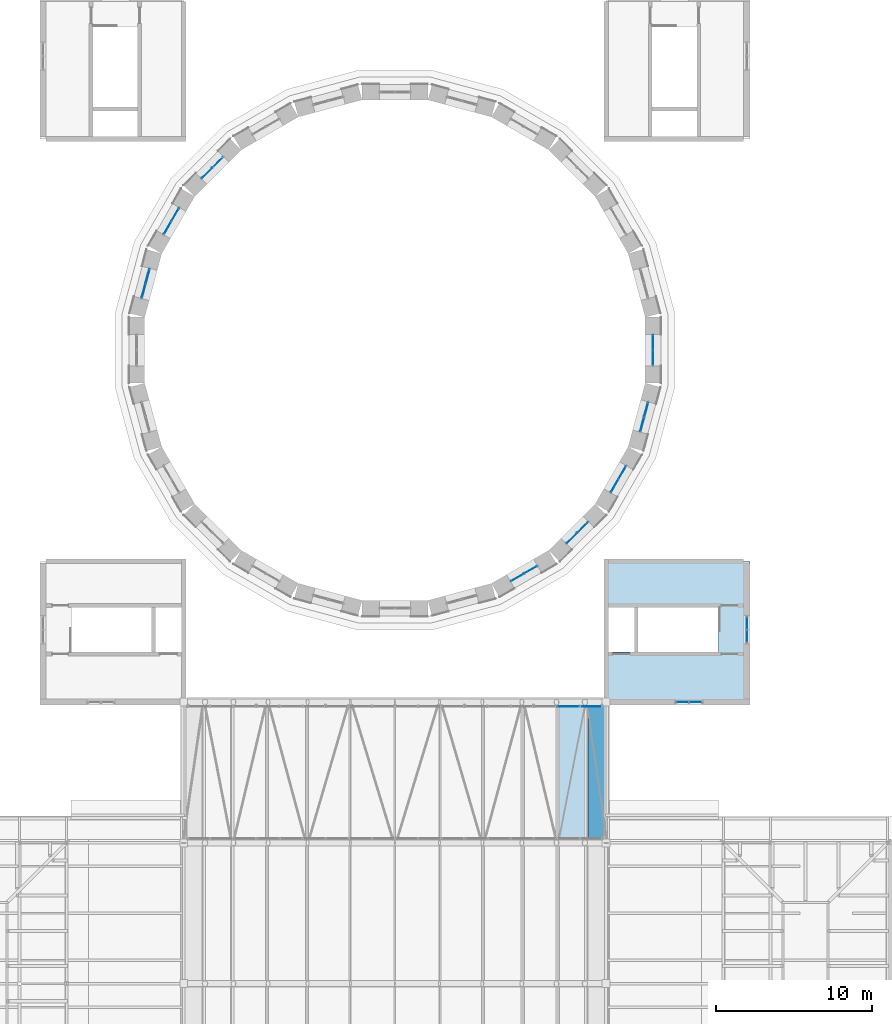
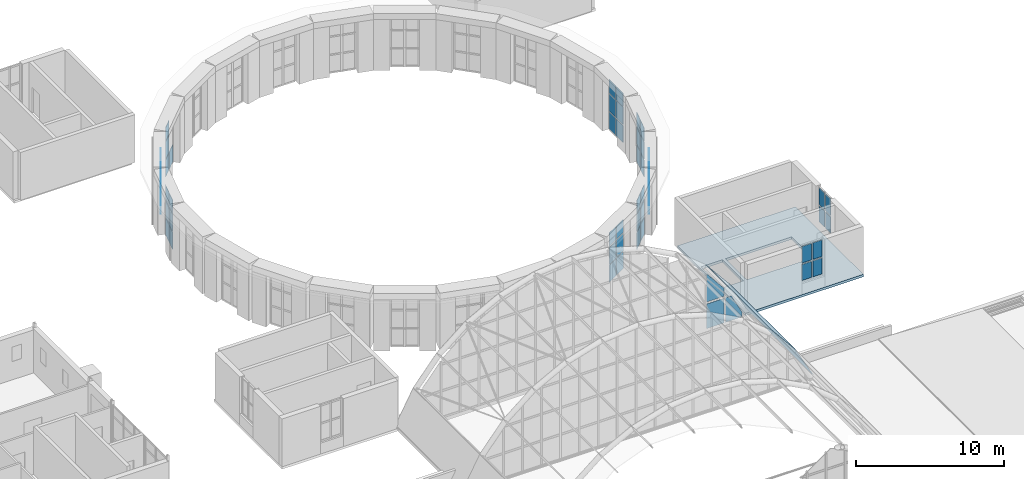
# One storey, part 84 of 121: 59 plates, 1 slab, 11 elements without a shape of their own.
"""IFC4 building model written with IfcOpenShell, lengths in metres."""

from ifc_helpers import new_model, si_unit, direction, frame, origin, origin_2d, place, context, subcontext, project, spatial, polyline, rectangle, outline, extrude, material, layer, layer_set, type_object, element, aggregate, save


model = new_model("IFC4")

# Units and contexts
model_context = context("Model", 3, precision=1e-05, world=origin(), true_north=direction((0.0, 1.0)))
body_context = subcontext(model_context, "Body", "Model", "MODEL_VIEW")
ifc_project = project(units=[si_unit("LENGTHUNIT", "METRE"), si_unit("AREAUNIT", "SQUARE_METRE"), si_unit("VOLUMEUNIT", "CUBIC_METRE"), si_unit("PLANEANGLEUNIT", "RADIAN"), si_unit("MASSUNIT", "GRAM", prefix="KILO")], contexts=[model_context])

# Site, building, storey
site_placement = place(None, origin())
site = spatial("IfcSite", under=ifc_project, at=site_placement, CompositionType="ELEMENT")
building_placement = place(site_placement, origin())
building = spatial("IfcBuilding", under=site, at=building_placement, Name="Golden Quay Civic Hall", CompositionType="ELEMENT")
storey_placement = place(building_placement, frame((0.0, 0.0, 18.60009765625)))
storey = spatial("IfcBuildingStorey", under=building, at=storey_placement, Name="L04", CompositionType="ELEMENT", Elevation=18.60009765625)

# Slab
ifc_material_1 = material(Name="Concrete C35/45", Category="concrete")
ifc_layer_1 = layer(ifc_material_1, 0.199951171875)
ifc_layer_set_1 = layer_set([ifc_layer_1], Name="Composite floor 200")
slab_type = type_object("IfcSlabType", Name="Composite floor 200", PredefinedType="FLOOR", material=ifc_layer_set_1)
slab_placement = place(storey_placement, frame((0.0, 0.0, -0.2001953125)))
element("IfcSlab", 1, at=slab_placement, inside=storey, type_object=slab_type, Name="Slab", PredefinedType="FLOOR", context=body_context, shape_type="SweptSolid", body=[
    extrude(outline(polyline([(108.199951171875, 72.0), (108.199951171875, 62.800048828125), (99.0, 62.800048828125), (99.0, 72.0), (108.199951171875, 72.0)]), holes=[polyline([(99.14990234375, 69.050048828125), (99.14990234375, 66.199951171875), (100.800048828125, 66.199951171875), (100.800048828125, 69.050048828125), (99.14990234375, 69.050048828125)]), polyline([(101.050048828125, 66.199951171875), (106.195068359375, 66.199951171875), (106.195068359375, 69.050048828125), (101.050048828125, 69.050048828125), (101.050048828125, 66.199951171875)])]), origin(), (0.0, 0.0, 1.0), 0.2001953125),
])

# Curtain wall, plates
ifc_material_2 = material(Name="Glass, laminated double glazed", Category="glass")
ifc_layer_2 = layer(ifc_material_2, 0.199951171875)
ifc_layer_set_2 = layer_set([ifc_layer_2], Name="Glazed drum clerestory curtain wall")
curtain_wall_type_1 = type_object("IfcCurtainWallType", Name="Glazed drum clerestory curtain wall", PredefinedType="NOTDEFINED", material=ifc_layer_set_2)
curtain_wall_1_placement = place(storey_placement, origin())
curtain_wall_1 = element("IfcCurtainWall", 2, at=curtain_wall_1_placement, inside=storey, type_object=curtain_wall_type_1, Name="Clerestory curtain wall 9", PredefinedType="NOTDEFINED")
ifc_material_3 = material(Name="Glass, laminated double glazed", Category="glass")
ifc_layer_3 = layer(ifc_material_3, 0.028076171875)
ifc_layer_set_3 = layer_set([ifc_layer_3], Name="Double glazed curtain wall panel 28")
plate_type_1 = type_object("IfcPlateType", Name="Double glazed curtain wall panel 28", PredefinedType="CURTAIN_PANEL", material=ifc_layer_set_3)
plate_1_placement = place(storey_placement, frame((74.175537109375, 97.51025390625, -0.14013671875), z_axis=(0.0, 0.0, 1.0), x_axis=(-0.707106781187, -0.707106781187, 0.0)))
plate_1 = element("IfcPlate", 3, at=plate_1_placement, type_object=plate_type_1, Name="CW5 panel 1.1", PredefinedType="CURTAIN_PANEL", context=body_context, shape_type="SweptSolid", body=[
    extrude(rectangle(XDim=0.909912109375, YDim=0.028076171875, at=origin_2d()), origin(), (0.0, 0.0, 1.0), 1.409912109375),
])
plate_2_placement = place(storey_placement, frame((73.48974609375, 96.824462890625, -0.14013671875), z_axis=(0.0, 0.0, 1.0), x_axis=(-0.707106781187, -0.707106781187, 0.0)))
plate_2 = element("IfcPlate", 4, at=plate_2_placement, type_object=plate_type_1, Name="CW5 panel 2.1", PredefinedType="CURTAIN_PANEL", context=body_context, shape_type="SweptSolid", body=[
    extrude(rectangle(XDim=0.909912109375, YDim=0.028076171875, at=origin_2d()), origin(), (0.0, 0.0, 1.0), 1.409912109375),
])
plate_3_placement = place(storey_placement, frame((73.48974609375, 96.824462890625, 1.329833984375), z_axis=(0.0, 0.0, 1.0), x_axis=(-0.707106781187, -0.707106781187, 0.0)))
plate_3 = element("IfcPlate", 5, at=plate_3_placement, type_object=plate_type_1, Name="CW5 panel 2.2", PredefinedType="CURTAIN_PANEL", context=body_context, shape_type="SweptSolid", body=[
    extrude(rectangle(XDim=0.909912109375, YDim=0.028076171875, at=origin_2d()), origin(), (0.0, 0.0, 1.0), 1.43994140625),
])
plate_4_placement = place(storey_placement, frame((73.48974609375, 96.824462890625, 2.830078125), z_axis=(0.0, 0.0, 1.0), x_axis=(-0.707106781187, -0.707106781187, 0.0)))
plate_4 = element("IfcPlate", 6, at=plate_4_placement, type_object=plate_type_1, Name="CW5 panel 2.3", PredefinedType="CURTAIN_PANEL", context=body_context, shape_type="SweptSolid", body=[
    extrude(rectangle(XDim=0.909912109375, YDim=0.028076171875, at=origin_2d()), origin(), (0.0, 0.0, 1.0), 1.110107421875),
])
aggregate(curtain_wall_1, [plate_1, plate_2, plate_3, plate_4])

curtain_wall_2_placement = place(storey_placement, origin())
curtain_wall_2 = element("IfcCurtainWall", 7, at=curtain_wall_2_placement, inside=storey, type_object=curtain_wall_type_1, Name="Clerestory curtain wall 10", PredefinedType="NOTDEFINED")
plate_5_placement = place(storey_placement, frame((71.453125, 94.169921875, -0.14013671875), z_axis=(0.0, 0.0, 1.0), x_axis=(-0.500011000366, -0.866019052627, 0.0)))
plate_5 = element("IfcPlate", 8, at=plate_5_placement, type_object=plate_type_1, Name="CW5 panel 1.1", PredefinedType="CURTAIN_PANEL", context=body_context, shape_type="SweptSolid", body=[
    extrude(rectangle(XDim=0.909912109375, YDim=0.028076171875, at=origin_2d()), origin(), (0.0, 0.0, 1.0), 1.409912109375),
])
plate_6_placement = place(storey_placement, frame((71.453125, 94.169921875, 1.329833984375), z_axis=(0.0, 0.0, 1.0), x_axis=(-0.500011000366, -0.866019052627, 0.0)))
plate_6 = element("IfcPlate", 9, at=plate_6_placement, type_object=plate_type_1, Name="CW5 panel 1.2", PredefinedType="CURTAIN_PANEL", context=body_context, shape_type="SweptSolid", body=[
    extrude(rectangle(XDim=0.909912109375, YDim=0.028076171875, at=origin_2d()), origin(), (0.0, 0.0, 1.0), 1.43994140625),
])
plate_7_placement = place(storey_placement, frame((71.453125, 94.169921875, 2.830078125), z_axis=(0.0, 0.0, 1.0), x_axis=(-0.500011000366, -0.866019052627, 0.0)))
plate_7 = element("IfcPlate", 10, at=plate_7_placement, type_object=plate_type_1, Name="CW5 panel 1.3", PredefinedType="CURTAIN_PANEL", context=body_context, shape_type="SweptSolid", body=[
    extrude(rectangle(XDim=0.909912109375, YDim=0.028076171875, at=origin_2d()), origin(), (0.0, 0.0, 1.0), 1.110107421875),
])
plate_8_placement = place(storey_placement, frame((70.968017578125, 93.330078125, -0.14013671875), z_axis=(0.0, 0.0, 1.0), x_axis=(-0.500011000366, -0.866019052627, 0.0)))
plate_8 = element("IfcPlate", 11, at=plate_8_placement, type_object=plate_type_1, Name="CW5 panel 2.1", PredefinedType="CURTAIN_PANEL", context=body_context, shape_type="SweptSolid", body=[
    extrude(rectangle(XDim=0.909912109375, YDim=0.028076171875, at=origin_2d()), origin(), (0.0, 0.0, 1.0), 1.409912109375),
])
plate_9_placement = place(storey_placement, frame((70.968017578125, 93.330078125, 1.329833984375), z_axis=(0.0, 0.0, 1.0), x_axis=(-0.500011000366, -0.866019052627, 0.0)))
plate_9 = element("IfcPlate", 12, at=plate_9_placement, type_object=plate_type_1, Name="CW5 panel 2.2", PredefinedType="CURTAIN_PANEL", context=body_context, shape_type="SweptSolid", body=[
    extrude(rectangle(XDim=0.909912109375, YDim=0.028076171875, at=origin_2d()), origin(), (0.0, 0.0, 1.0), 1.43994140625),
])
plate_10_placement = place(storey_placement, frame((70.968017578125, 93.330078125, 2.830078125), z_axis=(0.0, 0.0, 1.0), x_axis=(-0.500011000366, -0.866019052627, 0.0)))
plate_10 = element("IfcPlate", 13, at=plate_10_placement, type_object=plate_type_1, Name="CW5 panel 2.3", PredefinedType="CURTAIN_PANEL", context=body_context, shape_type="SweptSolid", body=[
    extrude(rectangle(XDim=0.909912109375, YDim=0.028076171875, at=origin_2d()), origin(), (0.0, 0.0, 1.0), 1.110107421875),
])
aggregate(curtain_wall_2, [plate_5, plate_6, plate_7, plate_8, plate_9, plate_10])

curtain_wall_3_placement = place(storey_placement, origin())
curtain_wall_3 = element("IfcCurtainWall", 14, at=curtain_wall_3_placement, inside=storey, type_object=curtain_wall_type_1, Name="Clerestory curtain wall 11", PredefinedType="NOTDEFINED")
plate_11_placement = place(storey_placement, frame((69.687744140625, 90.239013671875, -0.14013671875), z_axis=(0.0, 0.0, 1.0), x_axis=(-0.258807731996, -0.965928857556, 0.0)))
plate_11 = element("IfcPlate", 15, at=plate_11_placement, type_object=plate_type_1, Name="CW5 panel 1.1", PredefinedType="CURTAIN_PANEL", context=body_context, shape_type="SweptSolid", body=[
    extrude(rectangle(XDim=0.909912109375, YDim=0.028076171875, at=origin_2d()), origin(), (0.0, 0.0, 1.0), 1.409912109375),
])
plate_12_placement = place(storey_placement, frame((69.687744140625, 90.239013671875, 1.329833984375), z_axis=(0.0, 0.0, 1.0), x_axis=(-0.258807731996, -0.965928857556, 0.0)))
plate_12 = element("IfcPlate", 16, at=plate_12_placement, type_object=plate_type_1, Name="CW5 panel 1.2", PredefinedType="CURTAIN_PANEL", context=body_context, shape_type="SweptSolid", body=[
    extrude(rectangle(XDim=0.909912109375, YDim=0.028076171875, at=origin_2d()), origin(), (0.0, 0.0, 1.0), 1.43994140625),
])
plate_13_placement = place(storey_placement, frame((69.687744140625, 90.239013671875, 2.830078125), z_axis=(0.0, 0.0, 1.0), x_axis=(-0.258807731996, -0.965928857556, 0.0)))
plate_13 = element("IfcPlate", 17, at=plate_13_placement, type_object=plate_type_1, Name="CW5 panel 1.3", PredefinedType="CURTAIN_PANEL", context=body_context, shape_type="SweptSolid", body=[
    extrude(rectangle(XDim=0.909912109375, YDim=0.028076171875, at=origin_2d()), origin(), (0.0, 0.0, 1.0), 1.110107421875),
])
plate_14_placement = place(storey_placement, frame((69.436767578125, 89.302001953125, -0.14013671875), z_axis=(0.0, 0.0, 1.0), x_axis=(-0.258807731996, -0.965928857556, 0.0)))
plate_14 = element("IfcPlate", 18, at=plate_14_placement, type_object=plate_type_1, Name="CW5 panel 2.1", PredefinedType="CURTAIN_PANEL", context=body_context, shape_type="SweptSolid", body=[
    extrude(rectangle(XDim=0.909912109375, YDim=0.028076171875, at=origin_2d()), origin(), (0.0, 0.0, 1.0), 1.409912109375),
])
plate_15_placement = place(storey_placement, frame((69.436767578125, 89.302001953125, 1.329833984375), z_axis=(0.0, 0.0, 1.0), x_axis=(-0.258807731996, -0.965928857556, 0.0)))
plate_15 = element("IfcPlate", 19, at=plate_15_placement, type_object=plate_type_1, Name="CW5 panel 2.2", PredefinedType="CURTAIN_PANEL", context=body_context, shape_type="SweptSolid", body=[
    extrude(rectangle(XDim=0.909912109375, YDim=0.028076171875, at=origin_2d()), origin(), (0.0, 0.0, 1.0), 1.43994140625),
])
plate_16_placement = place(storey_placement, frame((69.436767578125, 89.302001953125, 2.830078125), z_axis=(0.0, 0.0, 1.0), x_axis=(-0.258807731996, -0.965928857556, 0.0)))
plate_16 = element("IfcPlate", 20, at=plate_16_placement, type_object=plate_type_1, Name="CW5 panel 2.3", PredefinedType="CURTAIN_PANEL", context=body_context, shape_type="SweptSolid", body=[
    extrude(rectangle(XDim=0.909912109375, YDim=0.028076171875, at=origin_2d()), origin(), (0.0, 0.0, 1.0), 1.110107421875),
])
aggregate(curtain_wall_3, [plate_11, plate_12, plate_13, plate_14, plate_15, plate_16])

curtain_wall_4_placement = place(storey_placement, origin())
curtain_wall_4 = element("IfcCurtainWall", 21, at=curtain_wall_4_placement, inside=storey, type_object=curtain_wall_type_1, Name="Clerestory curtain wall 20", PredefinedType="NOTDEFINED")
plate_17_placement = place(storey_placement, frame((93.330078125, 70.968017578125, -0.14013671875), z_axis=(0.0, 0.0, 1.0), x_axis=(0.866019052627, 0.500011000366, 0.0)))
plate_17 = element("IfcPlate", 22, at=plate_17_placement, type_object=plate_type_1, Name="CW5 panel 1.1", PredefinedType="CURTAIN_PANEL", context=body_context, shape_type="SweptSolid", body=[
    extrude(rectangle(XDim=0.909912109375, YDim=0.028076171875, at=origin_2d()), origin(), (0.0, 0.0, 1.0), 1.409912109375),
])
plate_18_placement = place(storey_placement, frame((93.330078125, 70.968017578125, 1.329833984375), z_axis=(0.0, 0.0, 1.0), x_axis=(0.866019052627, 0.500011000366, 0.0)))
plate_18 = element("IfcPlate", 23, at=plate_18_placement, type_object=plate_type_1, Name="CW5 panel 1.2", PredefinedType="CURTAIN_PANEL", context=body_context, shape_type="SweptSolid", body=[
    extrude(rectangle(XDim=0.909912109375, YDim=0.028076171875, at=origin_2d()), origin(), (0.0, 0.0, 1.0), 1.43994140625),
])
plate_19_placement = place(storey_placement, frame((93.330078125, 70.968017578125, 2.830078125), z_axis=(0.0, 0.0, 1.0), x_axis=(0.866019052627, 0.500011000366, 0.0)))
plate_19 = element("IfcPlate", 24, at=plate_19_placement, type_object=plate_type_1, Name="CW5 panel 1.3", PredefinedType="CURTAIN_PANEL", context=body_context, shape_type="SweptSolid", body=[
    extrude(rectangle(XDim=0.909912109375, YDim=0.028076171875, at=origin_2d()), origin(), (0.0, 0.0, 1.0), 1.110107421875),
])
plate_20_placement = place(storey_placement, frame((94.169921875, 71.453125, -0.14013671875), z_axis=(0.0, 0.0, 1.0), x_axis=(0.866019052627, 0.500011000366, 0.0)))
plate_20 = element("IfcPlate", 25, at=plate_20_placement, type_object=plate_type_1, Name="CW5 panel 2.1", PredefinedType="CURTAIN_PANEL", context=body_context, shape_type="SweptSolid", body=[
    extrude(rectangle(XDim=0.909912109375, YDim=0.028076171875, at=origin_2d()), origin(), (0.0, 0.0, 1.0), 1.409912109375),
])
plate_21_placement = place(storey_placement, frame((94.169921875, 71.453125, 1.329833984375), z_axis=(0.0, 0.0, 1.0), x_axis=(0.866019052627, 0.500011000366, 0.0)))
plate_21 = element("IfcPlate", 26, at=plate_21_placement, type_object=plate_type_1, Name="CW5 panel 2.2", PredefinedType="CURTAIN_PANEL", context=body_context, shape_type="SweptSolid", body=[
    extrude(rectangle(XDim=0.909912109375, YDim=0.028076171875, at=origin_2d()), origin(), (0.0, 0.0, 1.0), 1.43994140625),
])
plate_22_placement = place(storey_placement, frame((94.169921875, 71.453125, 2.830078125), z_axis=(0.0, 0.0, 1.0), x_axis=(0.866019052627, 0.500011000366, 0.0)))
plate_22 = element("IfcPlate", 27, at=plate_22_placement, type_object=plate_type_1, Name="CW5 panel 2.3", PredefinedType="CURTAIN_PANEL", context=body_context, shape_type="SweptSolid", body=[
    extrude(rectangle(XDim=0.909912109375, YDim=0.028076171875, at=origin_2d()), origin(), (0.0, 0.0, 1.0), 1.110107421875),
])
aggregate(curtain_wall_4, [plate_17, plate_18, plate_19, plate_20, plate_21, plate_22])

curtain_wall_5_placement = place(storey_placement, origin())
curtain_wall_5 = element("IfcCurtainWall", 28, at=curtain_wall_5_placement, inside=storey, type_object=curtain_wall_type_1, Name="Clerestory curtain wall 21", PredefinedType="NOTDEFINED")
plate_23_placement = place(storey_placement, frame((96.824462890625, 73.48974609375, -0.14013671875), z_axis=(0.0, 0.0, 1.0), x_axis=(0.707106781187, 0.707106781187, 0.0)))
plate_23 = element("IfcPlate", 29, at=plate_23_placement, type_object=plate_type_1, Name="CW5 panel 1.1", PredefinedType="CURTAIN_PANEL", context=body_context, shape_type="SweptSolid", body=[
    extrude(rectangle(XDim=0.909912109375, YDim=0.028076171875, at=origin_2d()), origin(), (0.0, 0.0, 1.0), 1.409912109375),
])
plate_24_placement = place(storey_placement, frame((96.824462890625, 73.48974609375, 1.329833984375), z_axis=(0.0, 0.0, 1.0), x_axis=(0.707106781187, 0.707106781187, 0.0)))
plate_24 = element("IfcPlate", 30, at=plate_24_placement, type_object=plate_type_1, Name="CW5 panel 1.2", PredefinedType="CURTAIN_PANEL", context=body_context, shape_type="SweptSolid", body=[
    extrude(rectangle(XDim=0.909912109375, YDim=0.028076171875, at=origin_2d()), origin(), (0.0, 0.0, 1.0), 1.43994140625),
])
plate_25_placement = place(storey_placement, frame((96.824462890625, 73.48974609375, 2.830078125), z_axis=(0.0, 0.0, 1.0), x_axis=(0.707106781187, 0.707106781187, 0.0)))
plate_25 = element("IfcPlate", 31, at=plate_25_placement, type_object=plate_type_1, Name="CW5 panel 1.3", PredefinedType="CURTAIN_PANEL", context=body_context, shape_type="SweptSolid", body=[
    extrude(rectangle(XDim=0.909912109375, YDim=0.028076171875, at=origin_2d()), origin(), (0.0, 0.0, 1.0), 1.110107421875),
])
plate_26_placement = place(storey_placement, frame((97.51025390625, 74.175537109375, -0.14013671875), z_axis=(0.0, 0.0, 1.0), x_axis=(0.707106781187, 0.707106781187, 0.0)))
plate_26 = element("IfcPlate", 32, at=plate_26_placement, type_object=plate_type_1, Name="CW5 panel 2.1", PredefinedType="CURTAIN_PANEL", context=body_context, shape_type="SweptSolid", body=[
    extrude(rectangle(XDim=0.909912109375, YDim=0.028076171875, at=origin_2d()), origin(), (0.0, 0.0, 1.0), 1.409912109375),
])
plate_27_placement = place(storey_placement, frame((97.51025390625, 74.175537109375, 1.329833984375), z_axis=(0.0, 0.0, 1.0), x_axis=(0.707106781187, 0.707106781187, 0.0)))
plate_27 = element("IfcPlate", 33, at=plate_27_placement, type_object=plate_type_1, Name="CW5 panel 2.2", PredefinedType="CURTAIN_PANEL", context=body_context, shape_type="SweptSolid", body=[
    extrude(rectangle(XDim=0.909912109375, YDim=0.028076171875, at=origin_2d()), origin(), (0.0, 0.0, 1.0), 1.43994140625),
])
plate_28_placement = place(storey_placement, frame((97.51025390625, 74.175537109375, 2.830078125), z_axis=(0.0, 0.0, 1.0), x_axis=(0.707106781187, 0.707106781187, 0.0)))
plate_28 = element("IfcPlate", 34, at=plate_28_placement, type_object=plate_type_1, Name="CW5 panel 2.3", PredefinedType="CURTAIN_PANEL", context=body_context, shape_type="SweptSolid", body=[
    extrude(rectangle(XDim=0.909912109375, YDim=0.028076171875, at=origin_2d()), origin(), (0.0, 0.0, 1.0), 1.110107421875),
])
aggregate(curtain_wall_5, [plate_23, plate_24, plate_25, plate_26, plate_27, plate_28])

curtain_wall_6_placement = place(storey_placement, origin())
curtain_wall_6 = element("IfcCurtainWall", 35, at=curtain_wall_6_placement, inside=storey, type_object=curtain_wall_type_1, Name="Clerestory curtain wall 22", PredefinedType="NOTDEFINED")
plate_29_placement = place(storey_placement, frame((99.546875, 76.830078125, -0.14013671875), z_axis=(0.0, 0.0, 1.0), x_axis=(0.500011000366, 0.866019052627, 0.0)))
plate_29 = element("IfcPlate", 36, at=plate_29_placement, type_object=plate_type_1, Name="CW5 panel 1.1", PredefinedType="CURTAIN_PANEL", context=body_context, shape_type="SweptSolid", body=[
    extrude(rectangle(XDim=0.909912109375, YDim=0.028076171875, at=origin_2d()), origin(), (0.0, 0.0, 1.0), 1.409912109375),
])
plate_30_placement = place(storey_placement, frame((99.546875, 76.830078125, 1.329833984375), z_axis=(0.0, 0.0, 1.0), x_axis=(0.500011000366, 0.866019052627, 0.0)))
plate_30 = element("IfcPlate", 37, at=plate_30_placement, type_object=plate_type_1, Name="CW5 panel 1.2", PredefinedType="CURTAIN_PANEL", context=body_context, shape_type="SweptSolid", body=[
    extrude(rectangle(XDim=0.909912109375, YDim=0.028076171875, at=origin_2d()), origin(), (0.0, 0.0, 1.0), 1.43994140625),
])
plate_31_placement = place(storey_placement, frame((99.546875, 76.830078125, 2.830078125), z_axis=(0.0, 0.0, 1.0), x_axis=(0.500011000366, 0.866019052627, 0.0)))
plate_31 = element("IfcPlate", 38, at=plate_31_placement, type_object=plate_type_1, Name="CW5 panel 1.3", PredefinedType="CURTAIN_PANEL", context=body_context, shape_type="SweptSolid", body=[
    extrude(rectangle(XDim=0.909912109375, YDim=0.028076171875, at=origin_2d()), origin(), (0.0, 0.0, 1.0), 1.110107421875),
])
plate_32_placement = place(storey_placement, frame((100.031982421875, 77.669921875, -0.14013671875), z_axis=(0.0, 0.0, 1.0), x_axis=(0.500011000366, 0.866019052627, 0.0)))
plate_32 = element("IfcPlate", 39, at=plate_32_placement, type_object=plate_type_1, Name="CW5 panel 2.1", PredefinedType="CURTAIN_PANEL", context=body_context, shape_type="SweptSolid", body=[
    extrude(rectangle(XDim=0.909912109375, YDim=0.028076171875, at=origin_2d()), origin(), (0.0, 0.0, 1.0), 1.409912109375),
])
plate_33_placement = place(storey_placement, frame((100.031982421875, 77.669921875, 1.329833984375), z_axis=(0.0, 0.0, 1.0), x_axis=(0.500011000366, 0.866019052627, 0.0)))
plate_33 = element("IfcPlate", 40, at=plate_33_placement, type_object=plate_type_1, Name="CW5 panel 2.2", PredefinedType="CURTAIN_PANEL", context=body_context, shape_type="SweptSolid", body=[
    extrude(rectangle(XDim=0.909912109375, YDim=0.028076171875, at=origin_2d()), origin(), (0.0, 0.0, 1.0), 1.43994140625),
])
plate_34_placement = place(storey_placement, frame((100.031982421875, 77.669921875, 2.830078125), z_axis=(0.0, 0.0, 1.0), x_axis=(0.500011000366, 0.866019052627, 0.0)))
plate_34 = element("IfcPlate", 41, at=plate_34_placement, type_object=plate_type_1, Name="CW5 panel 2.3", PredefinedType="CURTAIN_PANEL", context=body_context, shape_type="SweptSolid", body=[
    extrude(rectangle(XDim=0.909912109375, YDim=0.028076171875, at=origin_2d()), origin(), (0.0, 0.0, 1.0), 1.110107421875),
])
aggregate(curtain_wall_6, [plate_29, plate_30, plate_31, plate_32, plate_33, plate_34])

curtain_wall_7_placement = place(storey_placement, origin())
curtain_wall_7 = element("IfcCurtainWall", 42, at=curtain_wall_7_placement, inside=storey, type_object=curtain_wall_type_1, Name="Clerestory curtain wall 23", PredefinedType="NOTDEFINED")
plate_35_placement = place(storey_placement, frame((101.312255859375, 80.760986328125, -0.14013671875), z_axis=(0.0, 0.0, 1.0), x_axis=(0.258807731996, 0.965928857556, 0.0)))
plate_35 = element("IfcPlate", 43, at=plate_35_placement, type_object=plate_type_1, Name="CW5 panel 1.1", PredefinedType="CURTAIN_PANEL", context=body_context, shape_type="SweptSolid", body=[
    extrude(rectangle(XDim=0.909912109375, YDim=0.028076171875, at=origin_2d()), origin(), (0.0, 0.0, 1.0), 1.409912109375),
])
plate_36_placement = place(storey_placement, frame((101.312255859375, 80.760986328125, 1.329833984375), z_axis=(0.0, 0.0, 1.0), x_axis=(0.258807731996, 0.965928857556, 0.0)))
plate_36 = element("IfcPlate", 44, at=plate_36_placement, type_object=plate_type_1, Name="CW5 panel 1.2", PredefinedType="CURTAIN_PANEL", context=body_context, shape_type="SweptSolid", body=[
    extrude(rectangle(XDim=0.909912109375, YDim=0.028076171875, at=origin_2d()), origin(), (0.0, 0.0, 1.0), 1.43994140625),
])
plate_37_placement = place(storey_placement, frame((101.312255859375, 80.760986328125, 2.830078125), z_axis=(0.0, 0.0, 1.0), x_axis=(0.258807731996, 0.965928857556, 0.0)))
plate_37 = element("IfcPlate", 45, at=plate_37_placement, type_object=plate_type_1, Name="CW5 panel 1.3", PredefinedType="CURTAIN_PANEL", context=body_context, shape_type="SweptSolid", body=[
    extrude(rectangle(XDim=0.909912109375, YDim=0.028076171875, at=origin_2d()), origin(), (0.0, 0.0, 1.0), 1.110107421875),
])
plate_38_placement = place(storey_placement, frame((101.563232421875, 81.697998046875, -0.14013671875), z_axis=(0.0, 0.0, 1.0), x_axis=(0.258807731996, 0.965928857556, 0.0)))
plate_38 = element("IfcPlate", 46, at=plate_38_placement, type_object=plate_type_1, Name="CW5 panel 2.1", PredefinedType="CURTAIN_PANEL", context=body_context, shape_type="SweptSolid", body=[
    extrude(rectangle(XDim=0.909912109375, YDim=0.028076171875, at=origin_2d()), origin(), (0.0, 0.0, 1.0), 1.409912109375),
])
plate_39_placement = place(storey_placement, frame((101.563232421875, 81.697998046875, 1.329833984375), z_axis=(0.0, 0.0, 1.0), x_axis=(0.258807731996, 0.965928857556, 0.0)))
plate_39 = element("IfcPlate", 47, at=plate_39_placement, type_object=plate_type_1, Name="CW5 panel 2.2", PredefinedType="CURTAIN_PANEL", context=body_context, shape_type="SweptSolid", body=[
    extrude(rectangle(XDim=0.909912109375, YDim=0.028076171875, at=origin_2d()), origin(), (0.0, 0.0, 1.0), 1.43994140625),
])
plate_40_placement = place(storey_placement, frame((101.563232421875, 81.697998046875, 2.830078125), z_axis=(0.0, 0.0, 1.0), x_axis=(0.258807731996, 0.965928857556, 0.0)))
plate_40 = element("IfcPlate", 48, at=plate_40_placement, type_object=plate_type_1, Name="CW5 panel 2.3", PredefinedType="CURTAIN_PANEL", context=body_context, shape_type="SweptSolid", body=[
    extrude(rectangle(XDim=0.909912109375, YDim=0.028076171875, at=origin_2d()), origin(), (0.0, 0.0, 1.0), 1.110107421875),
])
aggregate(curtain_wall_7, [plate_35, plate_36, plate_37, plate_38, plate_39, plate_40])

curtain_wall_8_placement = place(storey_placement, origin())
curtain_wall_8 = element("IfcCurtainWall", 49, at=curtain_wall_8_placement, inside=storey, type_object=curtain_wall_type_1, Name="Clerestory curtain wall 24", PredefinedType="NOTDEFINED")
plate_41_placement = place(storey_placement, frame((102.0, 85.014892578125, -0.14013671875), z_axis=(0.0, 0.0, 1.0), x_axis=(0.0, 1.0, 0.0)))
plate_41 = element("IfcPlate", 50, at=plate_41_placement, type_object=plate_type_1, Name="CW5 panel 1.1", PredefinedType="CURTAIN_PANEL", context=body_context, shape_type="SweptSolid", body=[
    extrude(rectangle(XDim=0.909912109375, YDim=0.028076171875, at=origin_2d()), origin(), (0.0, 0.0, 1.0), 1.409912109375),
])
plate_42_placement = place(storey_placement, frame((102.0, 85.014892578125, 1.329833984375), z_axis=(0.0, 0.0, 1.0), x_axis=(0.0, 1.0, 0.0)))
plate_42 = element("IfcPlate", 51, at=plate_42_placement, type_object=plate_type_1, Name="CW5 panel 1.2", PredefinedType="CURTAIN_PANEL", context=body_context, shape_type="SweptSolid", body=[
    extrude(rectangle(XDim=0.909912109375, YDim=0.028076171875, at=origin_2d()), origin(), (0.0, 0.0, 1.0), 1.43994140625),
])
plate_43_placement = place(storey_placement, frame((102.0, 85.014892578125, 2.830078125), z_axis=(0.0, 0.0, 1.0), x_axis=(0.0, 1.0, 0.0)))
plate_43 = element("IfcPlate", 52, at=plate_43_placement, type_object=plate_type_1, Name="CW5 panel 1.3", PredefinedType="CURTAIN_PANEL", context=body_context, shape_type="SweptSolid", body=[
    extrude(rectangle(XDim=0.909912109375, YDim=0.028076171875, at=origin_2d()), origin(), (0.0, 0.0, 1.0), 1.110107421875),
])
plate_44_placement = place(storey_placement, frame((102.0, 85.985107421875, -0.14013671875), z_axis=(0.0, 0.0, 1.0), x_axis=(0.0, 1.0, 0.0)))
plate_44 = element("IfcPlate", 53, at=plate_44_placement, type_object=plate_type_1, Name="CW5 panel 2.1", PredefinedType="CURTAIN_PANEL", context=body_context, shape_type="SweptSolid", body=[
    extrude(rectangle(XDim=0.909912109375, YDim=0.028076171875, at=origin_2d()), origin(), (0.0, 0.0, 1.0), 1.409912109375),
])
plate_45_placement = place(storey_placement, frame((102.0, 85.985107421875, 1.329833984375), z_axis=(0.0, 0.0, 1.0), x_axis=(0.0, 1.0, 0.0)))
plate_45 = element("IfcPlate", 54, at=plate_45_placement, type_object=plate_type_1, Name="CW5 panel 2.2", PredefinedType="CURTAIN_PANEL", context=body_context, shape_type="SweptSolid", body=[
    extrude(rectangle(XDim=0.909912109375, YDim=0.028076171875, at=origin_2d()), origin(), (0.0, 0.0, 1.0), 1.43994140625),
])
plate_46_placement = place(storey_placement, frame((102.0, 85.985107421875, 2.830078125), z_axis=(0.0, 0.0, 1.0), x_axis=(0.0, 1.0, 0.0)))
plate_46 = element("IfcPlate", 55, at=plate_46_placement, type_object=plate_type_1, Name="CW5 panel 2.3", PredefinedType="CURTAIN_PANEL", context=body_context, shape_type="SweptSolid", body=[
    extrude(rectangle(XDim=0.909912109375, YDim=0.028076171875, at=origin_2d()), origin(), (0.0, 0.0, 1.0), 1.110107421875),
])
aggregate(curtain_wall_8, [plate_41, plate_42, plate_43, plate_44, plate_45, plate_46])

ifc_material_4 = material(Name="Fire-resisting glass and steel", Category="steel")
curtain_wall_type_2 = type_object("IfcCurtainWallType", Name="Fire-resisting glazed stair curtain wall EI 120", PredefinedType="NOTDEFINED", material=ifc_material_4)
curtain_wall_9_placement = place(storey_placement, origin())
curtain_wall_9 = element("IfcCurtainWall", 56, at=curtain_wall_9_placement, inside=storey, type_object=curtain_wall_type_2, Name="CW4 stair curtain wall", PredefinedType="NOTDEFINED")
ifc_material_5 = material(Name="Fire-resisting laminated glass", Category="glass")
ifc_layer_4 = layer(ifc_material_5, 0.0400390625)
ifc_layer_set_4 = layer_set([ifc_layer_4], Name="Fire-resisting glazed stair panel 40")
plate_type_2 = type_object("IfcPlateType", Name="Fire-resisting glazed stair panel 40", PredefinedType="CURTAIN_PANEL", material=ifc_layer_set_4)
plate_47_placement = place(storey_placement, frame((103.8798828125, 63.0, 1.02001953125), z_axis=(0.0, 0.0, 1.0), x_axis=(1.0, 0.0, 0.0)))
plate_47 = element("IfcPlate", 57, at=plate_47_placement, type_object=plate_type_2, Name="CW4 panel 1.1", PredefinedType="CURTAIN_PANEL", context=body_context, shape_type="SweptSolid", body=[
    extrude(rectangle(XDim=0.719970703125, YDim=0.0400390625, at=origin_2d()), origin(), (0.0, 0.0, 1.0), 1.320068359375),
])
plate_48_placement = place(storey_placement, frame((103.8798828125, 63.0, 2.4599609375), z_axis=(0.0, 0.0, 1.0), x_axis=(1.0, 0.0, 0.0)))
plate_48 = element("IfcPlate", 58, at=plate_48_placement, type_object=plate_type_2, Name="CW4 panel 1.2", PredefinedType="CURTAIN_PANEL", context=body_context, shape_type="SweptSolid", body=[
    extrude(rectangle(XDim=0.719970703125, YDim=0.0400390625, at=origin_2d()), origin(), (0.0, 0.0, 1.0), 1.3701171875),
])
plate_49_placement = place(storey_placement, frame((104.719970703125, 63.0, 1.02001953125), z_axis=(0.0, 0.0, 1.0), x_axis=(1.0, 0.0, 0.0)))
plate_49 = element("IfcPlate", 59, at=plate_49_placement, type_object=plate_type_2, Name="CW4 panel 2.1", PredefinedType="CURTAIN_PANEL", context=body_context, shape_type="SweptSolid", body=[
    extrude(rectangle(XDim=0.719970703125, YDim=0.0400390625, at=origin_2d()), origin(), (0.0, 0.0, 1.0), 1.320068359375),
])
plate_50_placement = place(storey_placement, frame((104.719970703125, 63.0, 2.4599609375), z_axis=(0.0, 0.0, 1.0), x_axis=(1.0, 0.0, 0.0)))
plate_50 = element("IfcPlate", 60, at=plate_50_placement, type_object=plate_type_2, Name="CW4 panel 2.2", PredefinedType="CURTAIN_PANEL", context=body_context, shape_type="SweptSolid", body=[
    extrude(rectangle(XDim=0.719970703125, YDim=0.0400390625, at=origin_2d()), origin(), (0.0, 0.0, 1.0), 1.3701171875),
])
aggregate(curtain_wall_9, [plate_47, plate_48, plate_49, plate_50])

curtain_wall_10_placement = place(storey_placement, origin())
curtain_wall_10 = element("IfcCurtainWall", 61, at=curtain_wall_10_placement, inside=storey, type_object=curtain_wall_type_2, Name="CW4 stair curtain wall", PredefinedType="NOTDEFINED")
plate_51_placement = place(storey_placement, frame((108.0, 67.205078125, 1.02001953125), z_axis=(0.0, 0.0, 1.0), x_axis=(0.0, 1.0, 0.0)))
plate_51 = element("IfcPlate", 62, at=plate_51_placement, type_object=plate_type_2, Name="CW4 panel 1.1", PredefinedType="CURTAIN_PANEL", context=body_context, shape_type="SweptSolid", body=[
    extrude(rectangle(XDim=0.719970703125, YDim=0.0400390625, at=origin_2d()), origin(), (0.0, 0.0, 1.0), 1.320068359375),
])
plate_52_placement = place(storey_placement, frame((108.0, 67.205078125, 2.4599609375), z_axis=(0.0, 0.0, 1.0), x_axis=(0.0, 1.0, 0.0)))
plate_52 = element("IfcPlate", 63, at=plate_52_placement, type_object=plate_type_2, Name="CW4 panel 1.2", PredefinedType="CURTAIN_PANEL", context=body_context, shape_type="SweptSolid", body=[
    extrude(rectangle(XDim=0.719970703125, YDim=0.0400390625, at=origin_2d()), origin(), (0.0, 0.0, 1.0), 1.3701171875),
])
plate_53_placement = place(storey_placement, frame((108.0, 68.044921875, 1.02001953125), z_axis=(0.0, 0.0, 1.0), x_axis=(0.0, 1.0, 0.0)))
plate_53 = element("IfcPlate", 64, at=plate_53_placement, type_object=plate_type_2, Name="CW4 panel 2.1", PredefinedType="CURTAIN_PANEL", context=body_context, shape_type="SweptSolid", body=[
    extrude(rectangle(XDim=0.719970703125, YDim=0.0400390625, at=origin_2d()), origin(), (0.0, 0.0, 1.0), 1.320068359375),
])
plate_54_placement = place(storey_placement, frame((108.0, 68.044921875, 2.4599609375), z_axis=(0.0, 0.0, 1.0), x_axis=(0.0, 1.0, 0.0)))
plate_54 = element("IfcPlate", 65, at=plate_54_placement, type_object=plate_type_2, Name="CW4 panel 2.2", PredefinedType="CURTAIN_PANEL", context=body_context, shape_type="SweptSolid", body=[
    extrude(rectangle(XDim=0.719970703125, YDim=0.0400390625, at=origin_2d()), origin(), (0.0, 0.0, 1.0), 1.3701171875),
])
aggregate(curtain_wall_10, [plate_51, plate_52, plate_53, plate_54])

ifc_material_6 = material(Name="Glass and aluminium", Category="aluminium")
curtain_wall_type_3 = type_object("IfcCurtainWallType", Name="Glazed curtain wall 1500 module", PredefinedType="NOTDEFINED", material=ifc_material_6)
curtain_wall_11_placement = place(storey_placement, origin())
curtain_wall_11 = element("IfcCurtainWall", 66, at=curtain_wall_11_placement, inside=storey, type_object=curtain_wall_type_3, Name="Curtain wall tympanum north", PredefinedType="NOTDEFINED")
ifc_material_7 = material(Name="Laminated glass", Category="glass")
ifc_layer_5 = layer(ifc_material_7, 0.028076171875)
ifc_layer_set_5 = layer_set([ifc_layer_5], Name="Laminated glass panel 28")
plate_type_3 = type_object("IfcPlateType", Name="Laminated glass panel 28", PredefinedType="CURTAIN_PANEL", material=ifc_layer_set_5)
plate_55_placement = place(storey_placement, frame((97.26220703125, 62.743896484375, -0.130126953125), z_axis=(0.0, 1.0, 0.0), x_axis=(-1.0, 0.0, 0.0)))
plate_55 = element("IfcPlate", 67, at=plate_55_placement, type_object=plate_type_3, Name="Tympanum glass 17.1", PredefinedType="CURTAIN_PANEL", context=body_context, shape_type="SweptSolid", body=[
    extrude(outline(polyline([(0.0, 0.0), (1.357666015625, 0.0), (1.357666015625, 2.02001953125), (0.0, 2.02001953125), (0.0, 0.0)])), origin(), (0.0, 0.0, -1.0), 0.028076171875),
])
plate_56_placement = place(storey_placement, frame((97.26220703125, 62.743896484375, 2.06982421875), z_axis=(0.0, 1.0, 0.0), x_axis=(-1.0, 0.0, 0.0)))
plate_56 = element("IfcPlate", 68, at=plate_56_placement, type_object=plate_type_3, Name="Tympanum glass 17.2", PredefinedType="CURTAIN_PANEL", context=body_context, shape_type="SweptSolid", body=[
    extrude(outline(polyline([(0.0, 0.0), (1.357666015625, 0.0), (1.357666015625, 2.3271484375), (0.0, 0.677978515625), (0.0, 0.0)])), origin(), (0.0, 0.0, -1.0), 0.028076171875),
])
plate_57_placement = place(storey_placement, frame((98.679931640625, 62.743896484375, -0.130126953125), z_axis=(0.0, 1.0, 0.0), x_axis=(-1.0, 0.0, 0.0)))
plate_57 = element("IfcPlate", 69, at=plate_57_placement, type_object=plate_type_3, Name="Tympanum glass 18.1", PredefinedType="CURTAIN_PANEL", context=body_context, shape_type="SweptSolid", body=[
    extrude(outline(polyline([(0.0, 0.0), (1.297607421875, 0.0), (1.297607421875, 2.02001953125), (0.8349609375, 2.02001953125), (0.0, 0.37646484375), (0.0, 0.0)])), origin(), (0.0, 0.0, -1.0), 0.028076171875),
])
aggregate(curtain_wall_11, [plate_55, plate_56, plate_57])

# Plates
ifc_material_8 = material(Name="Laminated glass", Category="glass")
ifc_layer_6 = layer(ifc_material_8, 0.030029296875)
ifc_layer_set_6 = layer_set([ifc_layer_6], Name="Laminated vault glazing 30")
plate_type_4 = type_object("IfcPlateType", Name="Laminated vault glazing 30", PredefinedType="SHEET", material=ifc_layer_set_6)
plate_58_placement = place(storey_placement, frame((95.993896484375, 54.0, 4.994140625), z_axis=(0.7720006594, 0.0, 0.635621728614), x_axis=(0.635621728614, 0.0, -0.7720006594)))
element("IfcPlate", 70, at=plate_58_placement, inside=storey, type_object=plate_type_4, Name="Vault glazing 7.11", PredefinedType="SHEET", context=body_context, shape_type="SweptSolid", body=[
    extrude(outline(polyline([(0.0, 0.0), (2.901855520100459, 0.0), (2.901855520100459, 9.0), (0.0, 9.0), (0.0, 0.0)])), origin(), (0.0, 0.0, -1.0), 0.030029296875),
])
plate_59_placement = place(storey_placement, frame((97.841552734375, 54.0, 2.7490234375), z_axis=(0.881024300134, 0.0, 0.47307101219), x_axis=(0.47307101219, 0.0, -0.881024300134)))
element("IfcPlate", 71, at=plate_59_placement, inside=storey, type_object=plate_type_4, Name="Vault glazing 7.12", PredefinedType="SHEET", context=body_context, shape_type="SweptSolid", body=[
    extrude(outline(polyline([(0.0, 0.0), (2.9018956964211977, 0.0), (2.9018956964211977, 9.0), (0.0, 9.0), (0.0, 0.0)])), origin(), (0.0, 0.0, -1.0), 0.030029296875),
])

save(model, "model.ifc")
